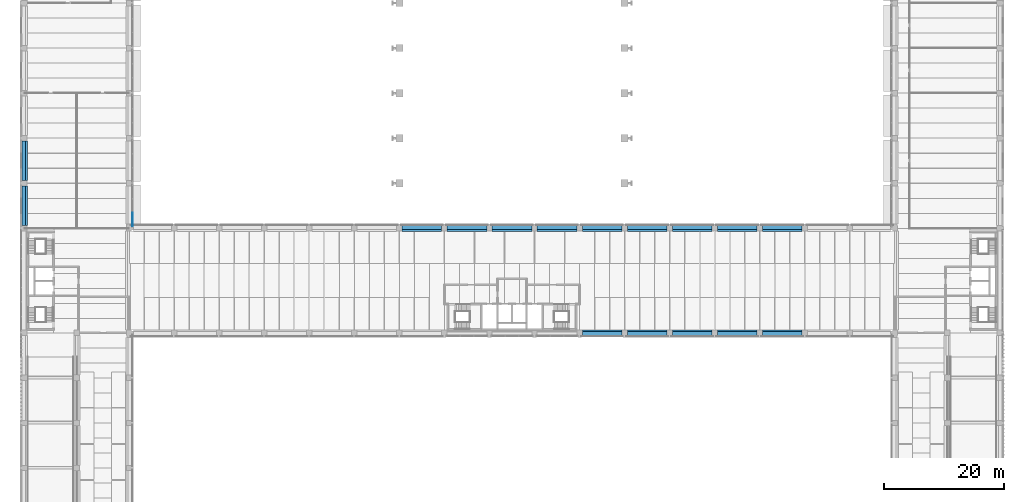
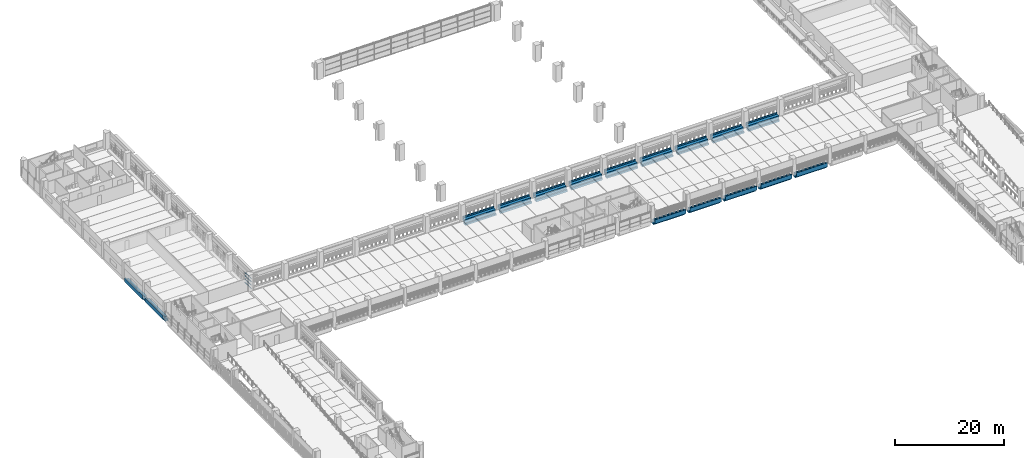
# One storey, part 8 of 57: 16 beams, 4 members, 1 element without a shape of its own.
"""IFC4 building model written with IfcOpenShell, lengths in metres."""

from ifc_helpers import new_model, si_unit, direction, frame, origin, origin_2d, place, context, subcontext, project, spatial, polyline, rectangle, outline, extrude, material, layer, layer_set, material_profile, profile_set, type_object, element, aggregate, save


model = new_model("IFC4")

# Units and contexts
model_context = context("Model", 3, precision=1e-05, world=origin(), true_north=direction((0.0, 1.0)))
body_context = subcontext(model_context, "Body", "Model", "MODEL_VIEW")
ifc_project = project(units=[si_unit("LENGTHUNIT", "METRE"), si_unit("AREAUNIT", "SQUARE_METRE"), si_unit("VOLUMEUNIT", "CUBIC_METRE"), si_unit("PLANEANGLEUNIT", "RADIAN"), si_unit("MASSUNIT", "GRAM", prefix="KILO")], contexts=[model_context])

# Site, building, storey
site_placement = place(None, origin())
site = spatial("IfcSite", under=ifc_project, at=site_placement, CompositionType="ELEMENT")
building_placement = place(site_placement, origin())
building = spatial("IfcBuilding", under=site, at=building_placement, Name="Cour d'Honneur Mobility Palace", CompositionType="ELEMENT")
storey_placement = place(building_placement, frame((0.0, 0.0, 8.199951171875)))
storey = spatial("IfcBuildingStorey", under=building, at=storey_placement, Name="L02", CompositionType="ELEMENT", Elevation=8.199951171875)

# Curtain wall, members
ifc_material_1 = material(Name="Aluminium and glass", Category="aluminium")
ifc_layer = layer(ifc_material_1, 0.10009765625)
ifc_layer_set = layer_set([ifc_layer], Name="Aluminium and glass")
curtain_wall_type = type_object("IfcCurtainWallType", Name="Curtain wall run", PredefinedType="NOTDEFINED", material=ifc_layer_set)
curtain_wall_placement = place(storey_placement, origin())
curtain_wall = element("IfcCurtainWall", 1, at=curtain_wall_placement, inside=storey, type_object=curtain_wall_type, Name="Curtain wall CW-23", PredefinedType="NOTDEFINED")
ifc_material_2 = material(Name="Aluminium", Category="aluminium")
ifc_material_profile_1 = material_profile(ifc_material_2, rectangle(XDim=0.06005859375, YDim=0.1201171875, at=origin_2d()), Name="Curtain wall transom")
ifc_profile_set_1 = profile_set([ifc_material_profile_1], Name="Aluminium")
member_type = type_object("IfcMemberType", Name="Curtain wall transom", PredefinedType="USERDEFINED", material=ifc_profile_set_1)
member_1_placement = place(storey_placement, frame((17.949951171875, 62.760009765625, 0.030029296875), z_axis=(0.0, 1.0, 0.0), x_axis=(-1.0, 0.0, 0.0)))
member_1 = element("IfcMember", 2, at=member_1_placement, type_object=member_type, Name="CW-23 transom 1.1", ObjectType="TRANSOM", PredefinedType="USERDEFINED", context=body_context, shape_type="SweptSolid", body=[
    extrude(rectangle(XDim=0.06005859375, YDim=0.1201171875, at=origin_2d()), origin(), (0.0, 0.0, 1.0), 2.2099609375),
])
member_2_placement = place(storey_placement, frame((17.949951171875, 62.760009765625, 0.7666015625), z_axis=(0.0, 1.0, 0.0), x_axis=(-1.0, 0.0, 0.0)))
member_2 = element("IfcMember", 3, at=member_2_placement, type_object=member_type, Name="CW-23 transom 1.2", ObjectType="TRANSOM", PredefinedType="USERDEFINED", context=body_context, shape_type="SweptSolid", body=[
    extrude(rectangle(XDim=0.06005859375, YDim=0.1201171875, at=origin_2d()), origin(), (0.0, 0.0, 1.0), 2.2099609375),
])
member_3_placement = place(storey_placement, frame((17.949951171875, 62.760009765625, 1.533447265625), z_axis=(0.0, 1.0, 0.0), x_axis=(-1.0, 0.0, 0.0)))
member_3 = element("IfcMember", 4, at=member_3_placement, type_object=member_type, Name="CW-23 transom 1.3", ObjectType="TRANSOM", PredefinedType="USERDEFINED", context=body_context, shape_type="SweptSolid", body=[
    extrude(rectangle(XDim=0.06005859375, YDim=0.1201171875, at=origin_2d()), origin(), (0.0, 0.0, 1.0), 2.2099609375),
])
member_4_placement = place(storey_placement, frame((17.949951171875, 62.760009765625, 2.27001953125), z_axis=(0.0, 1.0, 0.0), x_axis=(-1.0, 0.0, 0.0)))
member_4 = element("IfcMember", 5, at=member_4_placement, type_object=member_type, Name="CW-23 transom 1.4", ObjectType="TRANSOM", PredefinedType="USERDEFINED", context=body_context, shape_type="SweptSolid", body=[
    extrude(rectangle(XDim=0.06005859375, YDim=0.1201171875, at=origin_2d()), origin(), (0.0, 0.0, 1.0), 2.2099609375),
])
aggregate(curtain_wall, [member_1, member_2, member_3, member_4])

# Beams
ifc_material_3 = material(Name="Concrete C45", Category="concrete")
ifc_material_profile_2 = material_profile(ifc_material_3, outline(polyline([(0.5, -1.10009765625), (0.5, -0.75), (0.199951171875, -0.75), (0.199951171875, 0.0), (-0.199951171875, 0.0), (-0.449951171875, 0.0), (-0.449951171875, 0.300048828125), (-0.64990234375, 0.300048828125), (-0.64990234375, -0.60009765625), (-0.199951171875, -0.60009765625), (-0.199951171875, -1.10009765625), (0.5, -1.10009765625)])), Name="Ledger Beam 400x1100 ledge left 350 facade right")
ifc_profile_set_2 = profile_set([ifc_material_profile_2], Name="Concrete C45")
beam_type_1 = type_object("IfcBeamType", Name="Ledger Beam 400x1100 ledge left 350 facade right", PredefinedType="BEAM", material=ifc_profile_set_2)
for number, where, z_axis, x_axis, name in (
    (6, (92.85009765625, 45.0, 0.0), (1.0, 0.0, 0.0), (0.0, 1.0, 0.0), "Precast beam B2 12-13 L02"),
    (7, (100.35009765625, 45.0, 0.0), (1.0, 0.0, 0.0), (0.0, 1.0, 0.0), "Precast beam B2 13-14 L02"),
    (8, (107.85009765625, 45.0, 0.0), (1.0, 0.0, 0.0), (0.0, 1.0, 0.0), "Precast beam B2 14-15 L02"),
    (9, (115.35009765625, 45.0, 0.0), (1.0, 0.0, 0.0), (0.0, 1.0, 0.0), "Precast beam B2 15-16 L02"),
    (10, (122.85009765625, 45.0, 0.0), (1.0, 0.0, 0.0), (0.0, 1.0, 0.0), "Precast beam B2 16-17 L02"),
):
    element("IfcBeam", number, at=place(storey_placement, frame(where, z_axis=z_axis, x_axis=x_axis)), inside=storey, type_object=beam_type_1, Name=name, PredefinedType="BEAM", context=body_context, shape_type="SweptSolid", body=[
        extrude(outline(polyline([(0.5, -1.10009765625), (0.5, -0.75), (0.199951171875, -0.75), (0.199951171875, 0.0), (-0.199951171875, 0.0), (-0.449951171875, 0.0), (-0.449951171875, 0.300048828125), (-0.64990234375, 0.300048828125), (-0.64990234375, -0.60009765625), (-0.199951171875, -0.60009765625), (-0.199951171875, -1.10009765625), (0.5, -1.10009765625)])), origin(), (0.0, 0.0, 1.0), 6.599853515625),
    ])
ifc_material_4 = material(Name="Concrete C45", Category="concrete")
ifc_material_profile_3 = material_profile(ifc_material_4, outline(polyline([(0.199951171875, -1.10009765625), (0.199951171875, -0.60009765625), (0.64990234375, -0.60009765625), (0.64990234375, 0.300048828125), (0.449951171875, 0.300048828125), (0.449951171875, 0.0), (0.199951171875, 0.0), (-0.199951171875, 0.0), (-0.199951171875, -0.75), (-0.5, -0.75), (-0.5, -1.10009765625), (0.199951171875, -1.10009765625)])), Name="Ledger Beam 400x1100 ledge right 350 facade left")
ifc_profile_set_3 = profile_set([ifc_material_profile_3], Name="Concrete C45")
beam_type_2 = type_object("IfcBeamType", Name="Ledger Beam 400x1100 ledge right 350 facade left", PredefinedType="BEAM", material=ifc_profile_set_3)
for number, where, z_axis, x_axis, name in (
    (11, (62.85009765625, 62.39990234375, 0.0), (1.0, 0.0, 0.0), (0.0, 1.0, 0.0), "Precast beam B4 8-9 L02"),
    (12, (92.85009765625, 62.39990234375, 0.0), (1.0, 0.0, 0.0), (0.0, 1.0, 0.0), "Precast beam B4 12-13 L02"),
    (13, (100.35009765625, 62.39990234375, 0.0), (1.0, 0.0, 0.0), (0.0, 1.0, 0.0), "Precast beam B4 13-14 L02"),
    (14, (107.85009765625, 62.39990234375, 0.0), (1.0, 0.0, 0.0), (0.0, 1.0, 0.0), "Precast beam B4 14-15 L02"),
    (15, (115.35009765625, 62.39990234375, 0.0), (1.0, 0.0, 0.0), (0.0, 1.0, 0.0), "Precast beam B4 15-16 L02"),
    (16, (122.85009765625, 62.39990234375, 0.0), (1.0, 0.0, 0.0), (0.0, 1.0, 0.0), "Precast beam B4 16-17 L02"),
    (17, (0.0, 62.85009765625, 0.0), (0.0, 1.0, 0.0), (-1.0, 0.0, 0.0), "Precast beam B4 H-J L02"),
    (18, (0.0, 70.35009765625, 0.0), (0.0, 1.0, 0.0), (-1.0, 0.0, 0.0), "Precast beam B4 J-K L02"),
):
    element("IfcBeam", number, at=place(storey_placement, frame(where, z_axis=z_axis, x_axis=x_axis)), inside=storey, type_object=beam_type_2, Name=name, PredefinedType="BEAM", context=body_context, shape_type="SweptSolid", body=[
        extrude(outline(polyline([(0.199951171875, -1.10009765625), (0.199951171875, -0.60009765625), (0.64990234375, -0.60009765625), (0.64990234375, 0.300048828125), (0.449951171875, 0.300048828125), (0.449951171875, 0.0), (0.199951171875, 0.0), (-0.199951171875, 0.0), (-0.199951171875, -0.75), (-0.5, -0.75), (-0.5, -1.10009765625), (0.199951171875, -1.10009765625)])), origin(), (0.0, 0.0, 1.0), 6.599853515625),
    ])
ifc_material_5 = material(Name="Concrete C45", Category="concrete")
ifc_material_profile_4 = material_profile(ifc_material_5, outline(polyline([(0.199951171875, -1.10009765625), (0.199951171875, -0.60009765625), (0.64990234375, -0.60009765625), (0.64990234375, 0.300048828125), (0.449951171875, 0.300048828125), (0.449951171875, 0.0), (0.199951171875, 0.0), (-0.199951171875, 0.0), (-0.199951171875, -0.64990234375), (-0.5, -0.64990234375), (-0.5, -1.10009765625), (0.199951171875, -1.10009765625)])), Name="Ledger Beam 400x1100 ledge right 450 facade left")
ifc_profile_set_4 = profile_set([ifc_material_profile_4], Name="Concrete C45")
beam_type_3 = type_object("IfcBeamType", Name="Ledger Beam 400x1100 ledge right 450 facade left", PredefinedType="BEAM", material=ifc_profile_set_4)
for number, where, z_axis, x_axis, name in (
    (19, (70.35009765625, 62.39990234375, 0.0), (1.0, 0.0, 0.0), (0.0, 1.0, 0.0), "Precast beam B5 9-10 L02"),
    (20, (77.85009765625, 62.39990234375, 0.0), (1.0, 0.0, 0.0), (0.0, 1.0, 0.0), "Precast beam B5 10-11 L02"),
    (21, (85.35009765625, 62.39990234375, 0.0), (1.0, 0.0, 0.0), (0.0, 1.0, 0.0), "Precast beam B5 11-12 L02"),
):
    element("IfcBeam", number, at=place(storey_placement, frame(where, z_axis=z_axis, x_axis=x_axis)), inside=storey, type_object=beam_type_3, Name=name, PredefinedType="BEAM", context=body_context, shape_type="SweptSolid", body=[
        extrude(outline(polyline([(0.199951171875, -1.10009765625), (0.199951171875, -0.60009765625), (0.64990234375, -0.60009765625), (0.64990234375, 0.300048828125), (0.449951171875, 0.300048828125), (0.449951171875, 0.0), (0.199951171875, 0.0), (-0.199951171875, 0.0), (-0.199951171875, -0.64990234375), (-0.5, -0.64990234375), (-0.5, -1.10009765625), (0.199951171875, -1.10009765625)])), origin(), (0.0, 0.0, 1.0), 6.599853515625),
    ])

save(model, "model.ifc")
